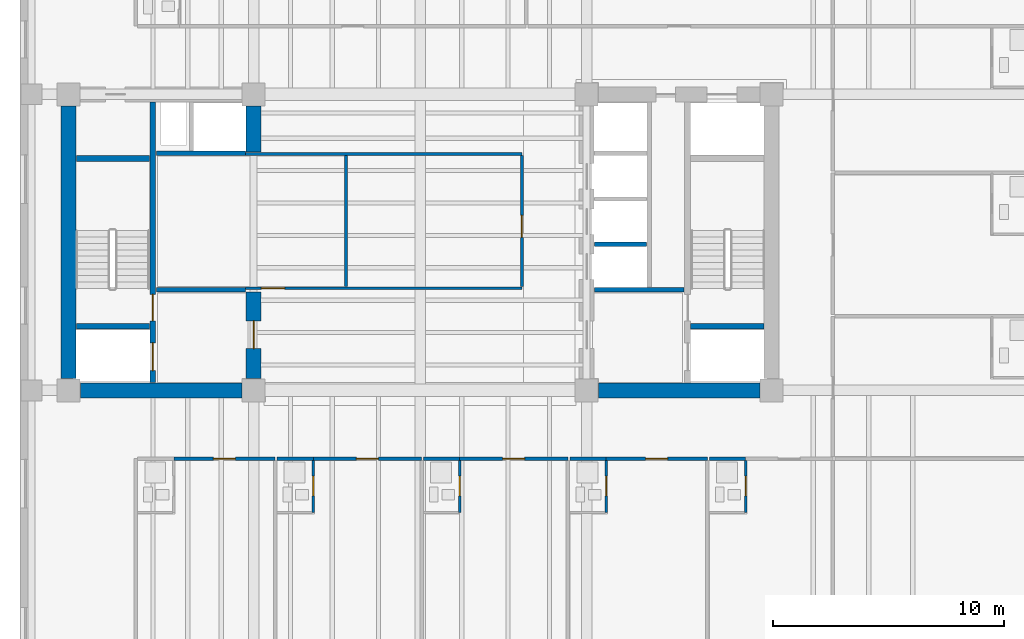
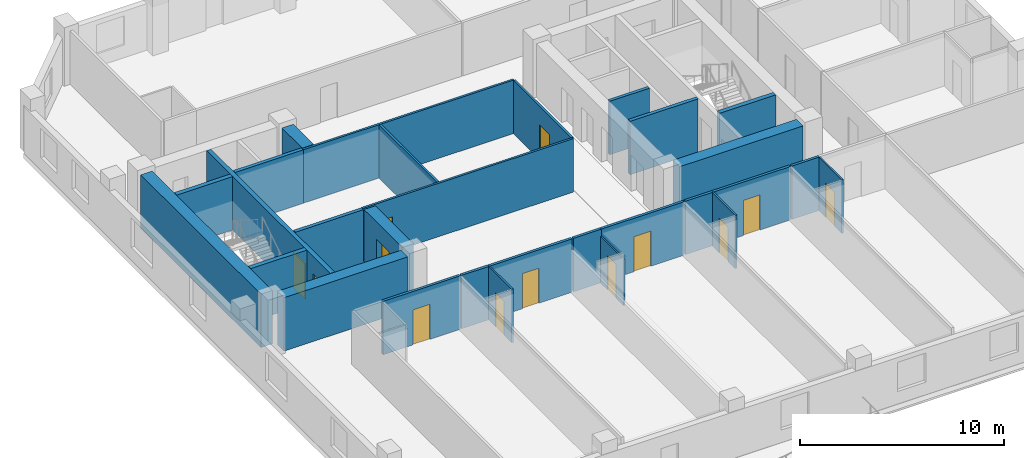
# One storey, part 3 of 10: 29 walls, 13 doors, 13 openings.
"""IFC4 building model written with IfcOpenShell, lengths in metres."""

from ifc_helpers import new_model, si_unit, direction, frame, frame_2d, origin, place, context, subcontext, project, spatial, rectangle, extrude, material, layer, layer_set, type_object, element, fill, save


model = new_model("IFC4")

# Units and contexts
model_context = context("Model", 3, precision=1e-05, world=origin(), true_north=direction((0.0, 1.0)))
body_context = subcontext(model_context, "Body", "Model", "MODEL_VIEW")
ifc_project = project(units=[si_unit("LENGTHUNIT", "METRE"), si_unit("AREAUNIT", "SQUARE_METRE"), si_unit("VOLUMEUNIT", "CUBIC_METRE"), si_unit("PLANEANGLEUNIT", "RADIAN"), si_unit("MASSUNIT", "GRAM", prefix="KILO")], contexts=[model_context])

# Site, building, storey
site_placement = place(None, origin())
site = spatial("IfcSite", under=ifc_project, at=site_placement, CompositionType="ELEMENT")
building_placement = place(site_placement, origin())
building = spatial("IfcBuilding", under=site, at=building_placement, Name="Kranthara Brick Stack", CompositionType="ELEMENT")
storey_placement = place(building_placement, frame((0.0, 0.0, 151.800048828125)))
storey = spatial("IfcBuildingStorey", under=building, at=storey_placement, Name="L38", CompositionType="ELEMENT", Elevation=151.800048828125)

# Wall, openings, doors
ifc_material_1 = material(Name="Concrete C50/60", Category="concrete")
ifc_layer_1 = layer(ifc_material_1, 0.25)
ifc_layer_set_1 = layer_set([ifc_layer_1], Name="Concrete C50/60")
wall_type_1 = type_object("IfcWallType", Name="WL-CORE-250", PredefinedType="SHEAR", material=ifc_layer_set_1)
wall_1_placement = place(storey_placement, frame((16.43505859375, 21.135009765625, 0.0), z_axis=(0.0, 0.0, 1.0), x_axis=(0.0, 1.0, 0.0)))
wall_1 = element("IfcWall", 1, at=wall_1_placement, inside=storey, type_object=wall_type_1, Name="L38 West Core Stair Bearing Spine Wall", PredefinedType="SHEAR", context=body_context, shape_type="SweptSolid", body=[
    extrude(rectangle(XDim=12.1298828125, YDim=0.25, at=frame_2d((6.06494140625, 0.0))), origin(), (0.0, 0.0, 1.0), 3.199951171875),
])
opening_1_placement = place(wall_1_placement, frame((0.514892578125, 0.0, 0.0)))
opening_1 = element("IfcOpeningElement", 2, at=opening_1_placement, cuts=wall_1, Name="Opening LD01", PredefinedType="OPENING", context=body_context, shape_type="SweptSolid", body=[
    extrude(rectangle(XDim=1.199951171875, YDim=2.14990234375, at=frame_2d((0.60009765625, 1.074951171875))), frame((0.0, 0.135009765625, 0.0), z_axis=(0.0, -1.0, 0.0), x_axis=(1.0, 0.0, 0.0)), (0.0, 0.0, 1.0), 0.27001953125),
])
opening_2_placement = place(wall_1_placement, frame((2.6650390625, 0.0, 0.0)))
opening_2 = element("IfcOpeningElement", 3, at=opening_2_placement, cuts=wall_1, Name="Opening D05", PredefinedType="OPENING", context=body_context, shape_type="SweptSolid", body=[
    extrude(rectangle(XDim=1.14990234375, YDim=2.14990234375, at=frame_2d((0.574951171875, 1.074951171875))), frame((0.0, 0.135009765625, 0.0), z_axis=(0.0, -1.0, 0.0), x_axis=(1.0, 0.0, 0.0)), (0.0, 0.0, 1.0), 0.27001953125),
])
ifc_material_2 = material(Name="Stainless steel sliding landing door", Category="steel")
door_type_1 = type_object("IfcDoorType", Name="DR-LD-FF1200", OperationType="DOUBLE_DOOR_SLIDING", PredefinedType="DOOR", material=ifc_material_2)
door_1_placement = place(opening_1_placement, origin())
door_1 = element("IfcDoor", 4, at=door_1_placement, inside=storey, type_object=door_type_1, Name="L38 Firefighting Lift FF-01 Landing Door", OperationType="DOUBLE_DOOR_SLIDING", OverallHeight=2.14990234375, OverallWidth=1.199951171875, PredefinedType="DOOR", context=body_context, shape_type="SweptSolid", body=[
    extrude(rectangle(XDim=1.199951171875, YDim=2.14990234375, at=frame_2d((0.60009765625, 1.074951171875))), frame((0.0, 0.02490234375, 0.0), z_axis=(0.0, -1.0, 0.0), x_axis=(1.0, 0.0, 0.0)), (0.0, 0.0, 1.0), 0.050048828125),
])
fill(opening_1, door_1)
ifc_material_3 = material(Name="Solid-core hardwood timber leaf in steel frame", Category="steel")
door_type_2 = type_object("IfcDoorType", Name="DR-ST-1150", OperationType="NOTDEFINED", PredefinedType="DOOR", material=ifc_material_3)
door_2_placement = place(opening_2_placement, origin())
door_2 = element("IfcDoor", 5, at=door_2_placement, inside=storey, type_object=door_type_2, Name="L38 Exit Stair ST01 Door", OperationType="SINGLE_SWING_RIGHT", OverallHeight=2.14990234375, OverallWidth=1.14990234375, PredefinedType="DOOR", context=body_context, shape_type="SweptSolid", body=[
    extrude(rectangle(XDim=1.14990234375, YDim=2.14990234375, at=frame_2d((0.574951171875, 1.074951171875))), frame((0.0, 0.02490234375, 0.0), z_axis=(0.0, -1.0, 0.0), x_axis=(1.0, 0.0, 0.0)), (0.0, 0.0, 1.0), 0.050048828125),
])
fill(opening_2, door_2)

# Walls
for number, where, z_axis, x_axis, name in (
    (6, (13.135009765625, 23.570068359375, 0.0), (0.0, 0.0, 1.0), (1.0, 0.0, 0.0), "L38 West Stairwell Bearing Wall WFF"),
    (7, (13.135009765625, 30.830078125, 0.0), (0.0, 0.0, 1.0), (1.0, 0.0, 0.0), "L38 West Stairwell Bearing Wall WST"),
    (8, (39.68994140625, 23.570068359375, 0.0), (0.0, 0.0, 1.0), (1.0, 0.0, 0.0), "L38 East Stairwell Bearing Wall EFF"),
):
    element("IfcWall", number, at=place(storey_placement, frame(where, z_axis=z_axis, x_axis=x_axis)), inside=storey, type_object=wall_type_1, Name=name, PredefinedType="SHEAR", context=body_context, shape_type="SweptSolid", body=[
        extrude(rectangle(XDim=3.175048828125, YDim=0.25, at=frame_2d((1.58740234375, 0.0))), origin(), (0.0, 0.0, 1.0), 3.199951171875),
    ])
ifc_material_4 = material(Name="Concrete C60/75", Category="concrete")
ifc_layer_2 = layer(ifc_material_4, 0.64990234375)
ifc_layer_set_2 = layer_set([ifc_layer_2], Name="Concrete C60/75")
wall_type_2 = type_object("IfcWallType", Name="WL-CORE-650", PredefinedType="SHEAR", material=ifc_layer_set_2)
wall_2_placement = place(storey_placement, frame((12.800048828125, 21.304931640625, 0.0), z_axis=(0.0, 0.0, 1.0), x_axis=(0.0, 1.0, 0.0)))
element("IfcWall", 9, at=wall_2_placement, inside=storey, type_object=wall_type_2, Name="L38 West Core Shear Wall West", PredefinedType="SHEAR", context=body_context, shape_type="SweptSolid", body=[
    extrude(rectangle(XDim=11.7900390625, YDim=0.64990234375, at=frame_2d((5.89501953125, 0.0))), origin(), (0.0, 0.0, 1.0), 3.199951171875),
])
wall_3_placement = place(storey_placement, frame((13.304931640625, 20.800048828125, 0.0), z_axis=(0.0, 0.0, 1.0), x_axis=(1.0, 0.0, 0.0)))
element("IfcWall", 10, at=wall_3_placement, inside=storey, type_object=wall_type_2, Name="L38 West Core Shear Wall South", PredefinedType="SHEAR", context=body_context, shape_type="SweptSolid", body=[
    extrude(rectangle(XDim=6.989990234375, YDim=0.64990234375, at=frame_2d((3.4951171875, 0.0))), origin(), (0.0, 0.0, 1.0), 3.199951171875),
])

# Wall, opening, door
wall_4_placement = place(storey_placement, frame((20.800048828125, 21.304931640625, 0.0), z_axis=(0.0, 0.0, 1.0), x_axis=(0.0, 1.0, 0.0)))
wall_4 = element("IfcWall", 11, at=wall_4_placement, inside=storey, type_object=wall_type_2, Name="L38 West Core Lobby Shear Wall", PredefinedType="SHEAR", context=body_context, shape_type="SweptSolid", body=[
    extrude(rectangle(XDim=3.7451171875, YDim=0.64990234375, at=frame_2d((1.87255859375, 0.0))), origin(), (0.0, 0.0, 1.0), 3.199951171875),
])
opening_3_placement = place(wall_4_placement, frame((1.294921875, 0.0, 0.0)))
opening_3 = element("IfcOpeningElement", 12, at=opening_3_placement, cuts=wall_4, Name="Opening D06", PredefinedType="OPENING", context=body_context, shape_type="SweptSolid", body=[
    extrude(rectangle(XDim=1.199951171875, YDim=2.14990234375, at=frame_2d((0.60009765625, 1.074951171875))), frame((0.0, 0.3349609375, 0.0), z_axis=(0.0, -1.0, 0.0), x_axis=(1.0, 0.0, 0.0)), (0.0, 0.0, 1.0), 0.669921875),
])
ifc_material_5 = material(Name="Solid-core hardwood timber leaf in steel frame", Category="steel")
door_type_3 = type_object("IfcDoorType", Name="DR-FFL-1200", OperationType="NOTDEFINED", PredefinedType="DOOR", material=ifc_material_5)
door_3_placement = place(opening_3_placement, origin())
door_3 = element("IfcDoor", 13, at=door_3_placement, inside=storey, type_object=door_type_3, Name="L38 West Firefighting Lobby Door", OperationType="SINGLE_SWING_LEFT", OverallHeight=2.14990234375, OverallWidth=1.199951171875, PredefinedType="DOOR", context=body_context, shape_type="SweptSolid", body=[
    extrude(rectangle(XDim=1.199951171875, YDim=2.14990234375, at=frame_2d((0.60009765625, 1.074951171875))), frame((0.0, 0.02490234375, 0.0), z_axis=(0.0, -1.0, 0.0), x_axis=(1.0, 0.0, 0.0)), (0.0, 0.0, 1.0), 0.050048828125),
])
fill(opening_3, door_3)

# Walls
wall_5_placement = place(storey_placement, frame((20.800048828125, 31.10009765625, 0.0), z_axis=(0.0, 0.0, 1.0), x_axis=(0.0, 1.0, 0.0)))
element("IfcWall", 14, at=wall_5_placement, inside=storey, type_object=wall_type_2, Name="L38 West Core High-Rise Lift Wall", PredefinedType="SHEAR", context=body_context, shape_type="SweptSolid", body=[
    extrude(rectangle(XDim=1.994873046875, YDim=0.64990234375, at=frame_2d((0.99755859375, 0.0))), origin(), (0.0, 0.0, 1.0), 3.199951171875),
])
wall_6_placement = place(storey_placement, frame((35.705078125, 20.800048828125, 0.0), z_axis=(0.0, 0.0, 1.0), x_axis=(1.0, 0.0, 0.0)))
element("IfcWall", 15, at=wall_6_placement, inside=storey, type_object=wall_type_2, Name="L38 East Core Shear Wall South", PredefinedType="SHEAR", context=body_context, shape_type="SweptSolid", body=[
    extrude(rectangle(XDim=6.989990234375, YDim=0.64990234375, at=frame_2d((3.4951171875, 0.0))), origin(), (0.0, 0.0, 1.0), 3.199951171875),
])

# Wall, opening, door
ifc_material_6 = material(Name="Moisture-resistant wet-room partition", Category="other")
ifc_layer_3 = layer(ifc_material_6, 0.10009765625)
ifc_layer_set_3 = layer_set([ifc_layer_3], Name="Moisture-resistant wet-room partition")
wall_type_3 = type_object("IfcWallType", Name="WL-PART-100", PredefinedType="PARTITIONING", material=ifc_layer_set_3)
wall_7_placement = place(storey_placement, frame((23.3798828125, 15.52001953125, 0.0), z_axis=(0.0, 0.0, 1.0), x_axis=(0.0, 1.0, 0.0)))
wall_7 = element("IfcWall", 16, at=wall_7_placement, inside=storey, type_object=wall_type_3, Name="L38 Interior Partition 013", PredefinedType="PARTITIONING", context=body_context, shape_type="SweptSolid", body=[
    extrude(rectangle(XDim=2.25, YDim=0.10009765625, at=frame_2d((1.125, 0.0))), origin(), (0.0, 0.0, 1.0), 3.199951171875),
])
opening_4_placement = place(wall_7_placement, frame((0.719970703125, 0.0, 0.0)))
opening_4 = element("IfcOpeningElement", 17, at=opening_4_placement, cuts=wall_7, Name="Opening D17", PredefinedType="OPENING", context=body_context, shape_type="SweptSolid", body=[
    extrude(rectangle(XDim=0.85009765625, YDim=2.050048828125, at=frame_2d((0.425048828125, 1.02490234375))), frame((0.0, 0.06005859375, 0.0), z_axis=(0.0, -1.0, 0.0), x_axis=(1.0, 0.0, 0.0)), (0.0, 0.0, 1.0), 0.1201171875),
])
ifc_material_7 = material(Name="Solid-core hardwood timber leaf in steel frame", Category="steel")
door_type_4 = type_object("IfcDoorType", Name="DR-WET-850", OperationType="NOTDEFINED", PredefinedType="DOOR", material=ifc_material_7)
door_4_placement = place(opening_4_placement, origin())
door_4 = element("IfcDoor", 18, at=door_4_placement, inside=storey, type_object=door_type_4, Name="L38 Key 02 En-Suite Door 05", OperationType="SINGLE_SWING_LEFT", OverallHeight=2.050048828125, OverallWidth=0.85009765625, PredefinedType="DOOR", context=body_context, shape_type="SweptSolid", body=[
    extrude(rectangle(XDim=0.85009765625, YDim=2.050048828125, at=frame_2d((0.425048828125, 1.02490234375))), frame((0.0, 0.02490234375, 0.0), z_axis=(0.0, -1.0, 0.0), x_axis=(1.0, 0.0, 0.0)), (0.0, 0.0, 1.0), 0.050048828125),
])
fill(opening_4, door_4)

wall_8_placement = place(storey_placement, frame((29.7109375, 15.52001953125, 0.0), z_axis=(0.0, 0.0, 1.0), x_axis=(0.0, 1.0, 0.0)))
wall_8 = element("IfcWall", 19, at=wall_8_placement, inside=storey, type_object=wall_type_3, Name="L38 Interior Partition 018", PredefinedType="PARTITIONING", context=body_context, shape_type="SweptSolid", body=[
    extrude(rectangle(XDim=2.25, YDim=0.10009765625, at=frame_2d((1.125, 0.0))), origin(), (0.0, 0.0, 1.0), 2.784912109375),
])
opening_5_placement = place(wall_8_placement, frame((0.719970703125, 0.0, 0.0)))
opening_5 = element("IfcOpeningElement", 20, at=opening_5_placement, cuts=wall_8, Name="Opening D17", PredefinedType="OPENING", context=body_context, shape_type="SweptSolid", body=[
    extrude(rectangle(XDim=0.85009765625, YDim=2.050048828125, at=frame_2d((0.425048828125, 1.02490234375))), frame((0.0, 0.06005859375, 0.0), z_axis=(0.0, -1.0, 0.0), x_axis=(1.0, 0.0, 0.0)), (0.0, 0.0, 1.0), 0.1201171875),
])
door_5_placement = place(opening_5_placement, origin())
door_5 = element("IfcDoor", 21, at=door_5_placement, inside=storey, type_object=door_type_4, Name="L38 Key 03 En-Suite Door 07", OperationType="SINGLE_SWING_LEFT", OverallHeight=2.050048828125, OverallWidth=0.85009765625, PredefinedType="DOOR", context=body_context, shape_type="SweptSolid", body=[
    extrude(rectangle(XDim=0.85009765625, YDim=2.050048828125, at=frame_2d((0.425048828125, 1.02490234375))), frame((0.0, 0.02490234375, 0.0), z_axis=(0.0, -1.0, 0.0), x_axis=(1.0, 0.0, 0.0)), (0.0, 0.0, 1.0), 0.050048828125),
])
fill(opening_5, door_5)

wall_9_placement = place(storey_placement, frame((36.04296875, 15.52001953125, 0.0), z_axis=(0.0, 0.0, 1.0), x_axis=(0.0, 1.0, 0.0)))
wall_9 = element("IfcWall", 22, at=wall_9_placement, inside=storey, type_object=wall_type_3, Name="L38 Interior Partition 023", PredefinedType="PARTITIONING", context=body_context, shape_type="SweptSolid", body=[
    extrude(rectangle(XDim=2.25, YDim=0.10009765625, at=frame_2d((1.125, 0.0))), origin(), (0.0, 0.0, 1.0), 3.199951171875),
])
opening_6_placement = place(wall_9_placement, frame((0.719970703125, 0.0, 0.0)))
opening_6 = element("IfcOpeningElement", 23, at=opening_6_placement, cuts=wall_9, Name="Opening D17", PredefinedType="OPENING", context=body_context, shape_type="SweptSolid", body=[
    extrude(rectangle(XDim=0.85009765625, YDim=2.050048828125, at=frame_2d((0.425048828125, 1.02490234375))), frame((0.0, 0.06005859375, 0.0), z_axis=(0.0, -1.0, 0.0), x_axis=(1.0, 0.0, 0.0)), (0.0, 0.0, 1.0), 0.1201171875),
])
door_6_placement = place(opening_6_placement, origin())
door_6 = element("IfcDoor", 24, at=door_6_placement, inside=storey, type_object=door_type_4, Name="L38 Key 04 En-Suite Door 09", OperationType="SINGLE_SWING_LEFT", OverallHeight=2.050048828125, OverallWidth=0.85009765625, PredefinedType="DOOR", context=body_context, shape_type="SweptSolid", body=[
    extrude(rectangle(XDim=0.85009765625, YDim=2.050048828125, at=frame_2d((0.425048828125, 1.02490234375))), frame((0.0, 0.02490234375, 0.0), z_axis=(0.0, -1.0, 0.0), x_axis=(1.0, 0.0, 0.0)), (0.0, 0.0, 1.0), 0.050048828125),
])
fill(opening_6, door_6)

wall_10_placement = place(storey_placement, frame((42.072998046875, 15.52001953125, 0.0), z_axis=(0.0, 0.0, 1.0), x_axis=(0.0, 1.0, 0.0)))
wall_10 = element("IfcWall", 25, at=wall_10_placement, inside=storey, type_object=wall_type_3, Name="L38 Interior Partition 028", PredefinedType="PARTITIONING", context=body_context, shape_type="SweptSolid", body=[
    extrude(rectangle(XDim=2.25, YDim=0.10009765625, at=frame_2d((1.125, 0.0))), origin(), (0.0, 0.0, 1.0), 3.199951171875),
])
opening_7_placement = place(wall_10_placement, frame((0.719970703125, 0.0, 0.0)))
opening_7 = element("IfcOpeningElement", 26, at=opening_7_placement, cuts=wall_10, Name="Opening D17", PredefinedType="OPENING", context=body_context, shape_type="SweptSolid", body=[
    extrude(rectangle(XDim=0.85009765625, YDim=2.050048828125, at=frame_2d((0.425048828125, 1.02490234375))), frame((0.0, 0.06005859375, 0.0), z_axis=(0.0, -1.0, 0.0), x_axis=(1.0, 0.0, 0.0)), (0.0, 0.0, 1.0), 0.1201171875),
])
door_7_placement = place(opening_7_placement, origin())
door_7 = element("IfcDoor", 27, at=door_7_placement, inside=storey, type_object=door_type_4, Name="L38 Key 05 En-Suite Door 11", OperationType="SINGLE_SWING_LEFT", OverallHeight=2.050048828125, OverallWidth=0.85009765625, PredefinedType="DOOR", context=body_context, shape_type="SweptSolid", body=[
    extrude(rectangle(XDim=0.85009765625, YDim=2.050048828125, at=frame_2d((0.425048828125, 1.02490234375))), frame((0.0, 0.02490234375, 0.0), z_axis=(0.0, -1.0, 0.0), x_axis=(1.0, 0.0, 0.0)), (0.0, 0.0, 1.0), 0.050048828125),
])
fill(opening_7, door_7)

ifc_material_8 = material(Name="Acoustic gypsum plasterboard partition", Category="other")
ifc_layer_4 = layer(ifc_material_8, 0.1201171875)
ifc_layer_set_4 = layer_set([ifc_layer_4], Name="Acoustic gypsum plasterboard partition")
wall_type_4 = type_object("IfcWallType", Name="WL-PART-120", PredefinedType="PARTITIONING", material=ifc_layer_set_4)
wall_11_placement = place(storey_placement, frame((20.4599609375, 25.219970703125, 0.0), z_axis=(0.0, 0.0, 1.0), x_axis=(1.0, 0.0, 0.0)))
wall_11 = element("IfcWall", 28, at=wall_11_placement, inside=storey, type_object=wall_type_4, Name="L38 Interior Partition 001", PredefinedType="PARTITIONING", context=body_context, shape_type="SweptSolid", body=[
    extrude(rectangle(XDim=11.93994140625, YDim=0.1201171875, at=frame_2d((5.969970703125, 0.0))), origin(), (0.0, 0.0, 1.0), 3.199951171875),
])
opening_8_placement = place(wall_11_placement, frame((0.679931640625, 0.0, 0.0)))
opening_8 = element("IfcOpeningElement", 29, at=opening_8_placement, cuts=wall_11, Name="Opening D13", PredefinedType="OPENING", context=body_context, shape_type="SweptSolid", body=[
    extrude(rectangle(XDim=1.0, YDim=2.10009765625, at=frame_2d((0.5, 1.050048828125))), frame((0.0, 0.070068359375, 0.0), z_axis=(0.0, -1.0, 0.0), x_axis=(1.0, 0.0, 0.0)), (0.0, 0.0, 1.0), 0.14013671875),
])
ifc_material_9 = material(Name="Solid-core hardwood timber leaf in steel frame", Category="steel")
door_type_5 = type_object("IfcDoorType", Name="DR-INT-1000", OperationType="NOTDEFINED", PredefinedType="DOOR", material=ifc_material_9)
door_8_placement = place(opening_8_placement, origin())
door_8 = element("IfcDoor", 30, at=door_8_placement, inside=storey, type_object=door_type_5, Name="L38 Hotel Club Lounge Door 01", OperationType="SINGLE_SWING_LEFT", OverallHeight=2.10009765625, OverallWidth=1.0, PredefinedType="DOOR", context=body_context, shape_type="SweptSolid", body=[
    extrude(rectangle(XDim=1.0, YDim=2.10009765625, at=frame_2d((0.5, 1.050048828125))), frame((0.0, 0.02490234375, 0.0), z_axis=(0.0, -1.0, 0.0), x_axis=(1.0, 0.0, 0.0)), (0.0, 0.0, 1.0), 0.050048828125),
])
fill(opening_8, door_8)

# Wall
wall_12_placement = place(storey_placement, frame((20.4599609375, 31.02001953125, 0.0), z_axis=(0.0, 0.0, 1.0), x_axis=(1.0, 0.0, 0.0)))
element("IfcWall", 31, at=wall_12_placement, inside=storey, type_object=wall_type_4, Name="L38 Interior Partition 002", PredefinedType="PARTITIONING", context=body_context, shape_type="SweptSolid", body=[
    extrude(rectangle(XDim=11.93994140625, YDim=0.1201171875, at=frame_2d((5.969970703125, 0.0))), origin(), (0.0, 0.0, 1.0), 3.199951171875),
])

# Wall, opening, door
wall_13_placement = place(storey_placement, frame((32.39990234375, 25.284912109375, 0.0), z_axis=(0.0, 0.0, 1.0), x_axis=(0.0, 1.0, 0.0)))
wall_13 = element("IfcWall", 32, at=wall_13_placement, inside=storey, type_object=wall_type_4, Name="L38 Interior Partition 003", PredefinedType="PARTITIONING", context=body_context, shape_type="SweptSolid", body=[
    extrude(rectangle(XDim=5.670166015625, YDim=0.1201171875, at=frame_2d((2.8349609375, 0.0))), origin(), (0.0, 0.0, 1.0), 3.199951171875),
])
opening_9_placement = place(wall_13_placement, frame((2.135009765625, 0.0, 0.0)))
opening_9 = element("IfcOpeningElement", 33, at=opening_9_placement, cuts=wall_13, Name="Opening D14", PredefinedType="OPENING", context=body_context, shape_type="SweptSolid", body=[
    extrude(rectangle(XDim=0.949951171875, YDim=2.10009765625, at=frame_2d((0.47509765625, 1.050048828125))), frame((0.0, 0.070068359375, 0.0), z_axis=(0.0, -1.0, 0.0), x_axis=(1.0, 0.0, 0.0)), (0.0, 0.0, 1.0), 0.14013671875),
])
ifc_material_10 = material(Name="Solid-core hardwood timber leaf in steel frame", Category="steel")
door_type_6 = type_object("IfcDoorType", Name="DR-INT-950", OperationType="NOTDEFINED", PredefinedType="DOOR", material=ifc_material_10)
door_9_placement = place(opening_9_placement, origin())
door_9 = element("IfcDoor", 34, at=door_9_placement, inside=storey, type_object=door_type_6, Name="L38 Housekeeping Linen Door 02", OperationType="SINGLE_SWING_RIGHT", OverallHeight=2.10009765625, OverallWidth=0.949951171875, PredefinedType="DOOR", context=body_context, shape_type="SweptSolid", body=[
    extrude(rectangle(XDim=0.949951171875, YDim=2.10009765625, at=frame_2d((0.47509765625, 1.050048828125))), frame((0.0, 0.02490234375, 0.0), z_axis=(0.0, -1.0, 0.0), x_axis=(1.0, 0.0, 0.0)), (0.0, 0.0, 1.0), 0.050048828125),
])
fill(opening_9, door_9)

# Wall
wall_14_placement = place(storey_placement, frame((24.800048828125, 25.284912109375, 0.0), z_axis=(0.0, 0.0, 1.0), x_axis=(0.0, 1.0, 0.0)))
element("IfcWall", 35, at=wall_14_placement, inside=storey, type_object=wall_type_4, Name="L38 Interior Partition 004", PredefinedType="PARTITIONING", context=body_context, shape_type="SweptSolid", body=[
    extrude(rectangle(XDim=5.670166015625, YDim=0.1201171875, at=frame_2d((2.8349609375, 0.0))), origin(), (0.0, 0.0, 1.0), 3.199951171875),
])

# Wall, opening, door
ifc_material_11 = material(Name="Fire-rated gypsum board partition", Category="other")
ifc_layer_5 = layer(ifc_material_11, 0.14990234375)
ifc_layer_set_5 = layer_set([ifc_layer_5], Name="Fire-rated gypsum board partition")
wall_type_5 = type_object("IfcWallType", Name="WL-PART-150", PredefinedType="PARTITIONING", material=ifc_layer_set_5)
wall_15_placement = place(storey_placement, frame((17.35009765625, 17.85009765625, 0.0), z_axis=(0.0, 0.0, 1.0), x_axis=(1.0, 0.0, 0.0)))
wall_15 = element("IfcWall", 36, at=wall_15_placement, inside=storey, type_object=wall_type_5, Name="L38 Interior Partition 007", PredefinedType="PARTITIONING", context=body_context, shape_type="SweptSolid", body=[
    extrude(rectangle(XDim=4.3798828125, YDim=0.14990234375, at=frame_2d((2.18994140625, 0.0))), origin(), (0.0, 0.0, 1.0), 3.199951171875),
])
opening_10_placement = place(wall_15_placement, frame((1.7099609375, 0.0, 0.0)))
opening_10 = element("IfcOpeningElement", 37, at=opening_10_placement, cuts=wall_15, Name="Opening D09", PredefinedType="OPENING", context=body_context, shape_type="SweptSolid", body=[
    extrude(rectangle(XDim=0.949951171875, YDim=2.10009765625, at=frame_2d((0.47509765625, 1.050048828125))), frame((0.0, 0.0849609375, 0.0), z_axis=(0.0, -1.0, 0.0), x_axis=(1.0, 0.0, 0.0)), (0.0, 0.0, 1.0), 0.169921875),
])
ifc_material_12 = material(Name="Solid-core hardwood timber leaf in steel frame", Category="steel")
door_type_7 = type_object("IfcDoorType", Name="DR-FD-950", OperationType="NOTDEFINED", PredefinedType="DOOR", material=ifc_material_12)
door_10_placement = place(opening_10_placement, origin())
door_10 = element("IfcDoor", 38, at=door_10_placement, inside=storey, type_object=door_type_7, Name="L38 Key 01 Entry 04", OperationType="SINGLE_SWING_RIGHT", OverallHeight=2.10009765625, OverallWidth=0.949951171875, PredefinedType="DOOR", context=body_context, shape_type="SweptSolid", body=[
    extrude(rectangle(XDim=0.949951171875, YDim=2.10009765625, at=frame_2d((0.47509765625, 1.050048828125))), frame((0.0, 0.02490234375, 0.0), z_axis=(0.0, -1.0, 0.0), x_axis=(1.0, 0.0, 0.0)), (0.0, 0.0, 1.0), 0.050048828125),
])
fill(opening_10, door_10)

# Wall
wall_16_placement = place(storey_placement, frame((21.81005859375, 17.85009765625, 0.0), z_axis=(0.0, 0.0, 1.0), x_axis=(1.0, 0.0, 0.0)))
element("IfcWall", 39, at=wall_16_placement, inside=storey, type_object=wall_type_5, Name="L38 Interior Partition 011", PredefinedType="PARTITIONING", context=body_context, shape_type="SweptSolid", body=[
    extrude(rectangle(XDim=1.56982421875, YDim=0.14990234375, at=frame_2d((0.784912109375, 0.0))), origin(), (0.0, 0.0, 1.0), 3.199951171875),
])

# Wall, opening, door
wall_17_placement = place(storey_placement, frame((23.3798828125, 17.85009765625, 0.0), z_axis=(0.0, 0.0, 1.0), x_axis=(1.0, 0.0, 0.0)))
wall_17 = element("IfcWall", 40, at=wall_17_placement, inside=storey, type_object=wall_type_5, Name="L38 Interior Partition 012", PredefinedType="PARTITIONING", context=body_context, shape_type="SweptSolid", body=[
    extrude(rectangle(XDim=4.68115234375, YDim=0.14990234375, at=frame_2d((2.340576171875, 0.0))), origin(), (0.0, 0.0, 1.0), 3.199951171875),
])
opening_11_placement = place(wall_17_placement, frame((1.861083984375, 0.0, 0.0)))
opening_11 = element("IfcOpeningElement", 41, at=opening_11_placement, cuts=wall_17, Name="Opening D09", PredefinedType="OPENING", context=body_context, shape_type="SweptSolid", body=[
    extrude(rectangle(XDim=0.949951171875, YDim=2.10009765625, at=frame_2d((0.47509765625, 1.050048828125))), frame((0.0, 0.0849609375, 0.0), z_axis=(0.0, -1.0, 0.0), x_axis=(1.0, 0.0, 0.0)), (0.0, 0.0, 1.0), 0.169921875),
])
door_11_placement = place(opening_11_placement, origin())
door_11 = element("IfcDoor", 42, at=door_11_placement, inside=storey, type_object=door_type_7, Name="L38 Key 02 Entry 06", OperationType="SINGLE_SWING_RIGHT", OverallHeight=2.10009765625, OverallWidth=0.949951171875, PredefinedType="DOOR", context=body_context, shape_type="SweptSolid", body=[
    extrude(rectangle(XDim=0.949951171875, YDim=2.10009765625, at=frame_2d((0.47509765625, 1.050048828125))), frame((0.0, 0.02490234375, 0.0), z_axis=(0.0, -1.0, 0.0), x_axis=(1.0, 0.0, 0.0)), (0.0, 0.0, 1.0), 0.050048828125),
])
fill(opening_11, door_11)

# Wall
wall_18_placement = place(storey_placement, frame((28.14111328125, 17.85009765625, 0.0), z_axis=(0.0, 0.0, 1.0), x_axis=(1.0, 0.0, 0.0)))
element("IfcWall", 43, at=wall_18_placement, inside=storey, type_object=wall_type_5, Name="L38 Interior Partition 016", PredefinedType="PARTITIONING", context=body_context, shape_type="SweptSolid", body=[
    extrude(rectangle(XDim=1.56982421875, YDim=0.14990234375, at=frame_2d((0.784912109375, 0.0))), origin(), (0.0, 0.0, 1.0), 3.199951171875),
])

# Wall, opening, door
wall_19_placement = place(storey_placement, frame((29.7109375, 17.85009765625, 0.0), z_axis=(0.0, 0.0, 1.0), x_axis=(1.0, 0.0, 0.0)))
wall_19 = element("IfcWall", 44, at=wall_19_placement, inside=storey, type_object=wall_type_5, Name="L38 Interior Partition 017", PredefinedType="PARTITIONING", context=body_context, shape_type="SweptSolid", body=[
    extrude(rectangle(XDim=4.68212890625, YDim=0.14990234375, at=frame_2d((2.341064453125, 0.0))), origin(), (0.0, 0.0, 1.0), 3.199951171875),
])
opening_12_placement = place(wall_19_placement, frame((1.861083984375, 0.0, 0.0)))
opening_12 = element("IfcOpeningElement", 45, at=opening_12_placement, cuts=wall_19, Name="Opening D09", PredefinedType="OPENING", context=body_context, shape_type="SweptSolid", body=[
    extrude(rectangle(XDim=0.949951171875, YDim=2.10009765625, at=frame_2d((0.47509765625, 1.050048828125))), frame((0.0, 0.0849609375, 0.0), z_axis=(0.0, -1.0, 0.0), x_axis=(1.0, 0.0, 0.0)), (0.0, 0.0, 1.0), 0.169921875),
])
door_12_placement = place(opening_12_placement, origin())
door_12 = element("IfcDoor", 46, at=door_12_placement, inside=storey, type_object=door_type_7, Name="L38 Key 03 Entry 08", OperationType="SINGLE_SWING_RIGHT", OverallHeight=2.10009765625, OverallWidth=0.949951171875, PredefinedType="DOOR", context=body_context, shape_type="SweptSolid", body=[
    extrude(rectangle(XDim=0.949951171875, YDim=2.10009765625, at=frame_2d((0.47509765625, 1.050048828125))), frame((0.0, 0.02490234375, 0.0), z_axis=(0.0, -1.0, 0.0), x_axis=(1.0, 0.0, 0.0)), (0.0, 0.0, 1.0), 0.050048828125),
])
fill(opening_12, door_12)

# Wall
wall_20_placement = place(storey_placement, frame((34.472900390625, 17.85009765625, 0.0), z_axis=(0.0, 0.0, 1.0), x_axis=(1.0, 0.0, 0.0)))
element("IfcWall", 47, at=wall_20_placement, inside=storey, type_object=wall_type_5, Name="L38 Interior Partition 021", PredefinedType="PARTITIONING", context=body_context, shape_type="SweptSolid", body=[
    extrude(rectangle(XDim=1.570068359375, YDim=0.14990234375, at=frame_2d((0.78515625, 0.0))), origin(), (0.0, 0.0, 1.0), 3.199951171875),
])

# Wall, opening, door
wall_21_placement = place(storey_placement, frame((36.04296875, 17.85009765625, 0.0), z_axis=(0.0, 0.0, 1.0), x_axis=(1.0, 0.0, 0.0)))
wall_21 = element("IfcWall", 48, at=wall_21_placement, inside=storey, type_object=wall_type_5, Name="L38 Interior Partition 022", PredefinedType="PARTITIONING", context=body_context, shape_type="SweptSolid", body=[
    extrude(rectangle(XDim=4.380126953125, YDim=0.14990234375, at=frame_2d((2.18994140625, 0.0))), origin(), (0.0, 0.0, 1.0), 3.199951171875),
])
opening_13_placement = place(wall_21_placement, frame((1.7099609375, 0.0, 0.0)))
opening_13 = element("IfcOpeningElement", 49, at=opening_13_placement, cuts=wall_21, Name="Opening D09", PredefinedType="OPENING", context=body_context, shape_type="SweptSolid", body=[
    extrude(rectangle(XDim=0.949951171875, YDim=2.10009765625, at=frame_2d((0.47509765625, 1.050048828125))), frame((0.0, 0.0849609375, 0.0), z_axis=(0.0, -1.0, 0.0), x_axis=(1.0, 0.0, 0.0)), (0.0, 0.0, 1.0), 0.169921875),
])
door_13_placement = place(opening_13_placement, origin())
door_13 = element("IfcDoor", 50, at=door_13_placement, inside=storey, type_object=door_type_7, Name="L38 Key 04 Entry 10", OperationType="SINGLE_SWING_RIGHT", OverallHeight=2.10009765625, OverallWidth=0.949951171875, PredefinedType="DOOR", context=body_context, shape_type="SweptSolid", body=[
    extrude(rectangle(XDim=0.949951171875, YDim=2.10009765625, at=frame_2d((0.47509765625, 1.050048828125))), frame((0.0, 0.02490234375, 0.0), z_axis=(0.0, -1.0, 0.0), x_axis=(1.0, 0.0, 0.0)), (0.0, 0.0, 1.0), 0.050048828125),
])
fill(opening_13, door_13)

# Walls
wall_22_placement = place(storey_placement, frame((40.5029296875, 17.85009765625, 0.0), z_axis=(0.0, 0.0, 1.0), x_axis=(1.0, 0.0, 0.0)))
element("IfcWall", 51, at=wall_22_placement, inside=storey, type_object=wall_type_5, Name="L38 Interior Partition 026", PredefinedType="PARTITIONING", context=body_context, shape_type="SweptSolid", body=[
    extrude(rectangle(XDim=1.570068359375, YDim=0.14990234375, at=frame_2d((0.78515625, 0.0))), origin(), (0.0, 0.0, 1.0), 3.199951171875),
])
ifc_material_13 = material(Name="Gypsum plasterboard on acoustic twin stud", Category="other")
ifc_layer_6 = layer(ifc_material_13, 0.179931640625)
ifc_layer_set_6 = layer_set([ifc_layer_6], Name="Gypsum plasterboard on acoustic twin stud")
wall_type_6 = type_object("IfcWallType", Name="WL-PART-180", PredefinedType="PARTITIONING", material=ifc_layer_set_6)
wall_23_placement = place(storey_placement, frame((35.534912109375, 27.1201171875, 0.0), z_axis=(0.0, 0.0, 1.0), x_axis=(1.0, 0.0, 0.0)))
element("IfcWall", 52, at=wall_23_placement, inside=storey, type_object=wall_type_6, Name="L38 East Hoistway Wall EH1", PredefinedType="PARTITIONING", context=body_context, shape_type="SweptSolid", body=[
    extrude(rectangle(XDim=2.2451171875, YDim=0.179931640625, at=frame_2d((1.12255859375, 0.0))), origin(), (0.0, 0.0, 1.0), 3.199951171875),
])
ifc_material_14 = material(Name="Concrete C40/50", Category="concrete")
ifc_layer_7 = layer(ifc_material_14, 0.199951171875)
ifc_layer_set_7 = layer_set([ifc_layer_7], Name="Concrete C40/50")
wall_type_7 = type_object("IfcWallType", Name="WL-PART-200", PredefinedType="SOLIDWALL", material=ifc_layer_set_7)
for number, where, z_axis, x_axis, name in (
    (53, (16.60009765625, 25.14990234375, 0.0), (0.0, 0.0, 1.0), (1.0, 0.0, 0.0), "L38 West Core Cross Wall WFL"),
    (54, (16.60009765625, 31.050048828125, 0.0), (0.0, 0.0, 1.0), (1.0, 0.0, 0.0), "L38 West Core Cross Wall WH4"),
):
    element("IfcWall", number, at=place(storey_placement, frame(where, z_axis=z_axis, x_axis=x_axis)), inside=storey, type_object=wall_type_7, Name=name, PredefinedType="SOLIDWALL", context=body_context, shape_type="SweptSolid", body=[
        extrude(rectangle(XDim=3.849853515625, YDim=0.199951171875, at=frame_2d((1.9248046875, 0.0))), origin(), (0.0, 0.0, 1.0), 3.199951171875),
    ])
wall_24_placement = place(storey_placement, frame((35.534912109375, 25.14990234375, 0.0), z_axis=(0.0, 0.0, 1.0), x_axis=(1.0, 0.0, 0.0)))
element("IfcWall", 55, at=wall_24_placement, inside=storey, type_object=wall_type_7, Name="L38 East Core Cross Wall EFL", PredefinedType="SOLIDWALL", context=body_context, shape_type="SweptSolid", body=[
    extrude(rectangle(XDim=3.864990234375, YDim=0.199951171875, at=frame_2d((1.9326171875, 0.0))), origin(), (0.0, 0.0, 1.0), 3.199951171875),
])

save(model, "model.ifc")
